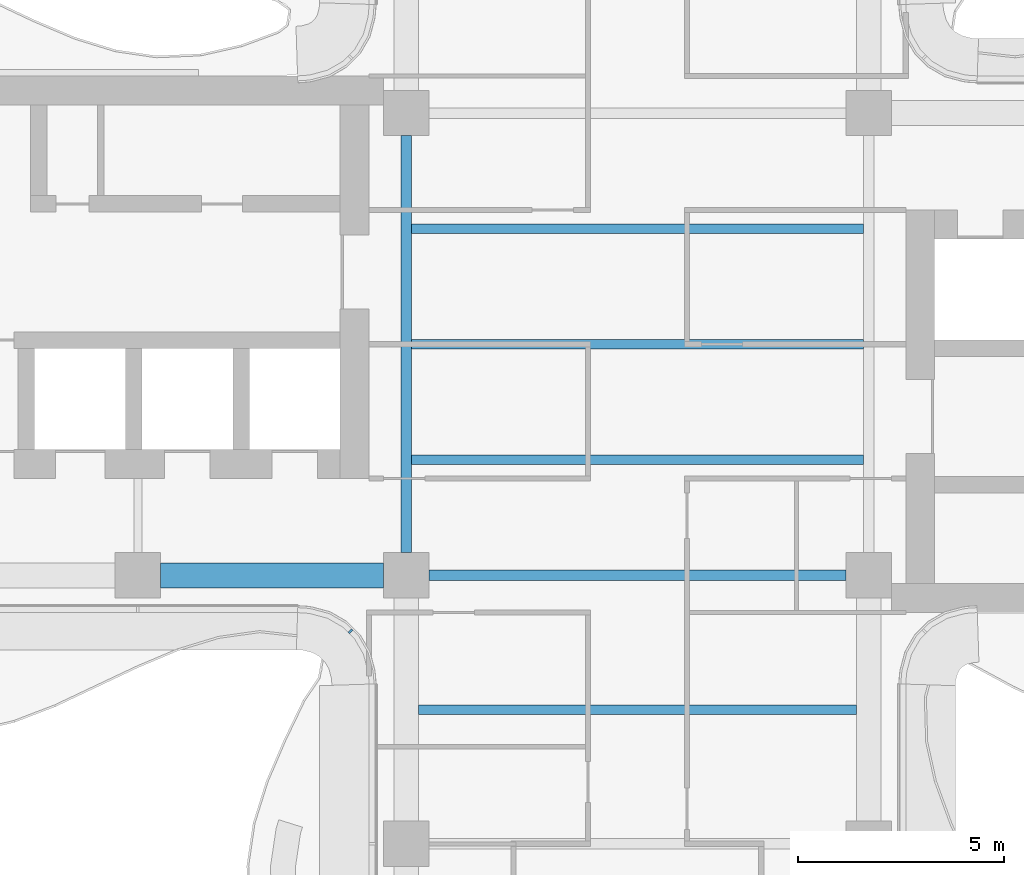
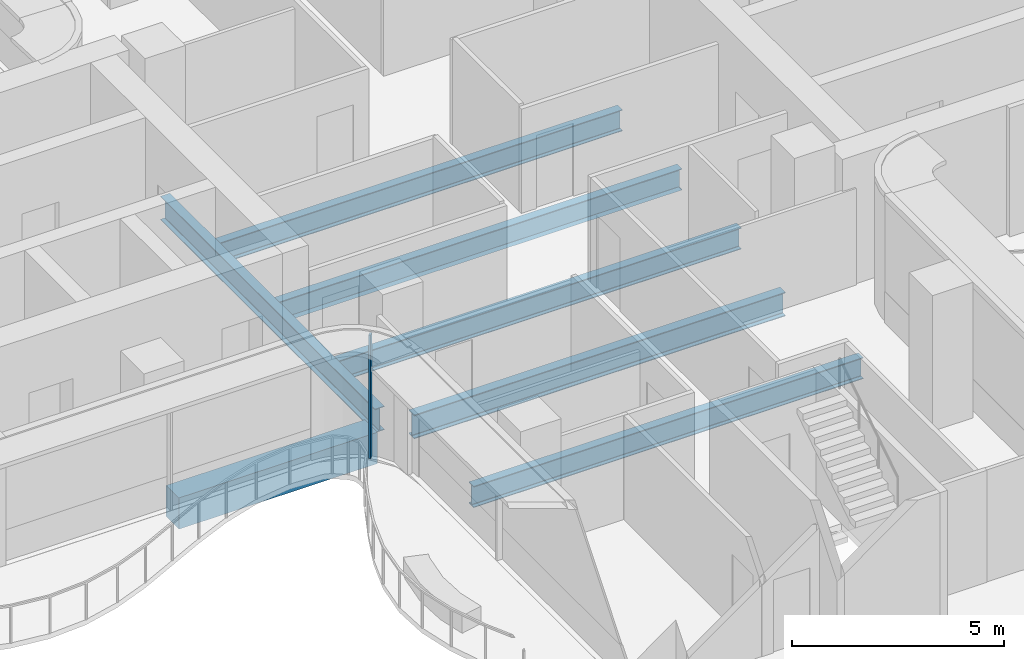
# One storey, part 4 of 18: 7 beams, 1 member, 1 element without a shape of its own.
"""IFC4 building model written with IfcOpenShell, lengths in metres."""

from ifc_helpers import new_model, si_unit, direction, frame, origin, origin_2d, place, context, subcontext, project, spatial, rectangle, i_section, extrude, source, transform, mapped, material, layer, layer_set, material_profile, profile_set, type_object, element, aggregate, save


model = new_model("IFC4")

# Units and contexts
model_context = context("Model", 3, precision=1e-05, world=origin(), true_north=direction((0.0, 1.0)))
body_context = subcontext(model_context, "Body", "Model", "MODEL_VIEW")
ifc_project = project(units=[si_unit("LENGTHUNIT", "METRE"), si_unit("AREAUNIT", "SQUARE_METRE"), si_unit("VOLUMEUNIT", "CUBIC_METRE"), si_unit("PLANEANGLEUNIT", "RADIAN"), si_unit("MASSUNIT", "GRAM", prefix="KILO")], contexts=[model_context])

# Site, building, storey
site_placement = place(None, origin())
site = spatial("IfcSite", under=ifc_project, at=site_placement, CompositionType="ELEMENT")
building_placement = place(site_placement, origin())
building = spatial("IfcBuilding", under=site, at=building_placement, Name="Trellis Farm Tower", CompositionType="ELEMENT")
storey_placement = place(building_placement, frame((0.0, 0.0, 224.60009765625)))
storey = spatial("IfcBuildingStorey", under=building, at=storey_placement, Name="L49", CompositionType="ELEMENT", Elevation=224.60009765625)

# Beams
ifc_material_1 = material(Name="Steel S355", Category="steel")
ifc_material_profile_1 = material_profile(ifc_material_1, i_section(OverallWidth=0.22900390625, OverallDepth=0.6123046875, WebThickness=0.011962890625, FlangeThickness=0.01953125, FilletRadius=0.0126953125, at=origin_2d()), Name="UB 610x229x125")
ifc_profile_set_1 = profile_set([ifc_material_profile_1], Name="Steel S355")
beam_type_1 = type_object("IfcBeamType", Name="UB 610x229x125 joist", PredefinedType="JOIST", material=ifc_profile_set_1)
shared_shape_1 = source(origin(), body_context, "Body", "SweptSolid", [
    extrude(i_section(OverallWidth=0.22900390625, OverallDepth=0.6123046875, WebThickness=0.011962890625, FlangeThickness=0.01953125, FilletRadius=0.0126953125, at=origin_2d()), origin(), (0.0, 0.0, 1.0), 10.9462890625),
])
for number, where, z_axis, x_axis, name in (
    (1, (-5.47314453125, -2.800048828125, -0.506103515625), (1.0, 0.0, 0.0), (0.0, 1.0, 0.0), "Floor beam"),
    (2, (-5.47314453125, 0.0, -0.506103515625), (1.0, 0.0, 0.0), (0.0, 1.0, 0.0), "Floor beam"),
    (3, (-5.47314453125, 2.800048828125, -0.506103515625), (1.0, 0.0, 0.0), (0.0, 1.0, 0.0), "Floor beam"),
):
    element("IfcBeam", number, at=place(storey_placement, frame(where, z_axis=z_axis, x_axis=x_axis)), inside=storey, type_object=beam_type_1, Name=name, PredefinedType="JOIST", context=body_context, shape_type="MappedRepresentation", body=[
        mapped(shared_shape_1, transform((0.0, 0.0, 0.0))),
    ])
shared_shape_2 = source(origin(), body_context, "Body", "SweptSolid", [
    extrude(i_section(OverallWidth=0.22900390625, OverallDepth=0.6123046875, WebThickness=0.011962890625, FlangeThickness=0.01953125, FilletRadius=0.0126953125, at=origin_2d()), origin(), (0.0, 0.0, 1.0), 10.60009765625),
])
beam_1_placement = place(storey_placement, frame((-5.300048828125, -8.85009765625, -0.506103515625), z_axis=(1.0, 0.0, 0.0), x_axis=(0.0, 1.0, 0.0)))
element("IfcBeam", 4, at=beam_1_placement, inside=storey, type_object=beam_type_1, Name="Floor beam", PredefinedType="JOIST", context=body_context, shape_type="MappedRepresentation", body=[
    mapped(shared_shape_2, transform((0.0, 0.0, 0.0))),
])
ifc_material_profile_2 = material_profile(ifc_material_1, i_section(OverallWidth=0.253662109375, OverallDepth=0.68359375, WebThickness=0.012451171875, FlangeThickness=0.021728515625, FilletRadius=0.01513671875, at=origin_2d()), Name="UB 686x254x140")
ifc_profile_set_2 = profile_set([ifc_material_profile_2], Name="Steel S355")
beam_type_2 = type_object("IfcBeamType", Name="UB 686x254x140", PredefinedType="BEAM", material=ifc_profile_set_2)
shared_shape_3 = source(origin(), body_context, "Body", "SweptSolid", [
    extrude(i_section(OverallWidth=0.253662109375, OverallDepth=0.68359375, WebThickness=0.012451171875, FlangeThickness=0.021728515625, FilletRadius=0.01513671875, at=origin_2d()), origin(), (0.0, 0.0, 1.0), 10.10009765625),
])
for number, where, z_axis, x_axis, name in (
    (5, (-5.050048828125, -5.60009765625, -0.541748046875), (1.0, 0.0, 0.0), (0.0, 1.0, 0.0), "Girder"),
    (6, (-5.60009765625, -5.050048828125, -0.541748046875), (0.0, 1.0, 0.0), (-1.0, 0.0, 0.0), "Girder"),
):
    element("IfcBeam", number, at=place(storey_placement, frame(where, z_axis=z_axis, x_axis=x_axis)), inside=storey, type_object=beam_type_2, Name=name, PredefinedType="BEAM", context=body_context, shape_type="MappedRepresentation", body=[
        mapped(shared_shape_3, transform((0.0, 0.0, 0.0))),
    ])
ifc_material_2 = material(Name="Concrete C60/75", Category="concrete")
ifc_material_profile_3 = material_profile(ifc_material_2, rectangle(XDim=0.60009765625, YDim=0.89990234375, at=origin_2d()), Name="RC spandrel beam 600x900 C60/75")
ifc_profile_set_3 = profile_set([ifc_material_profile_3], Name="Concrete C60/75")
beam_type_3 = type_object("IfcBeamType", Name="RC spandrel beam 600x900 C60/75", PredefinedType="SPANDREL", material=ifc_profile_set_3)
shared_shape_4 = source(origin(), body_context, "Body", "SweptSolid", [
    extrude(rectangle(XDim=0.60009765625, YDim=0.89990234375, at=origin_2d()), origin(), (0.0, 0.0, 1.0), 5.400146484375),
])
beam_2_placement = place(storey_placement, frame((-11.550048828125, -5.60009765625, -0.650146484375), z_axis=(1.0, 0.0, 0.0), x_axis=(0.0, 1.0, 0.0)))
element("IfcBeam", 7, at=beam_2_placement, inside=storey, type_object=beam_type_3, Name="Girder", PredefinedType="SPANDREL", context=body_context, shape_type="MappedRepresentation", body=[
    mapped(shared_shape_4, transform((0.0, 0.0, 0.0))),
])

# Curtain wall, member
ifc_material_3 = material(Name="Aluminium and glass curtain wall", Category="aluminium")
ifc_layer = layer(ifc_material_3, 0.166015625)
ifc_layer_set = layer_set([ifc_layer], Name="WINTER GARDEN CURTAIN WALL CW3")
curtain_wall_type = type_object("IfcCurtainWallType", Name="WINTER GARDEN CURTAIN WALL CW3", PredefinedType="NOTDEFINED", material=ifc_layer_set)
curtain_wall_placement = place(storey_placement, origin())
curtain_wall = element("IfcCurtainWall", 8, at=curtain_wall_placement, inside=storey, type_object=curtain_wall_type, Name="CW3 001", PredefinedType="NOTDEFINED")
ifc_material_4 = material(Name="Aluminium extrusion 6063-T6", Category="aluminium")
ifc_material_profile_4 = material_profile(ifc_material_4, rectangle(XDim=0.050048828125, YDim=0.1201171875, at=origin_2d()), Name="MULLION 50x120")
ifc_profile_set_4 = profile_set([ifc_material_profile_4], Name="Aluminium extrusion 6063-T6")
member_type = type_object("IfcMemberType", Name="CW3 MULLION 50x120", PredefinedType="MULLION", material=ifc_profile_set_4)
shared_shape_5 = source(origin(), body_context, "Body", "SweptSolid", [
    extrude(rectangle(XDim=0.050048828125, YDim=0.1201171875, at=origin_2d()), origin(), (0.0, 0.0, 1.0), 3.5498046875),
])
member_placement = place(storey_placement, frame((-6.953125, -6.953125, 0.0), z_axis=(0.0, 0.0, 1.0), x_axis=(0.707106781187, -0.707106781187, 0.0)))
member = element("IfcMember", 9, at=member_placement, type_object=member_type, Name="MU3 001-01", PredefinedType="MULLION", context=body_context, shape_type="MappedRepresentation", body=[
    mapped(shared_shape_5, transform((0.0, 0.0, 0.0))),
])
aggregate(curtain_wall, [member])

save(model, "model.ifc")
